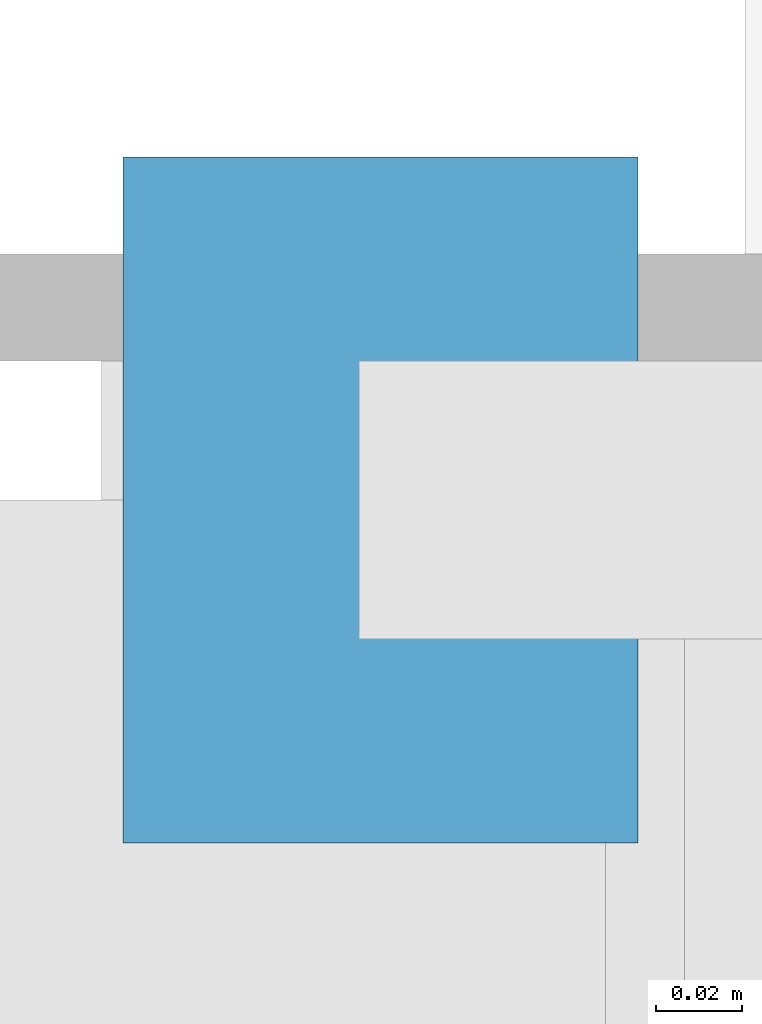
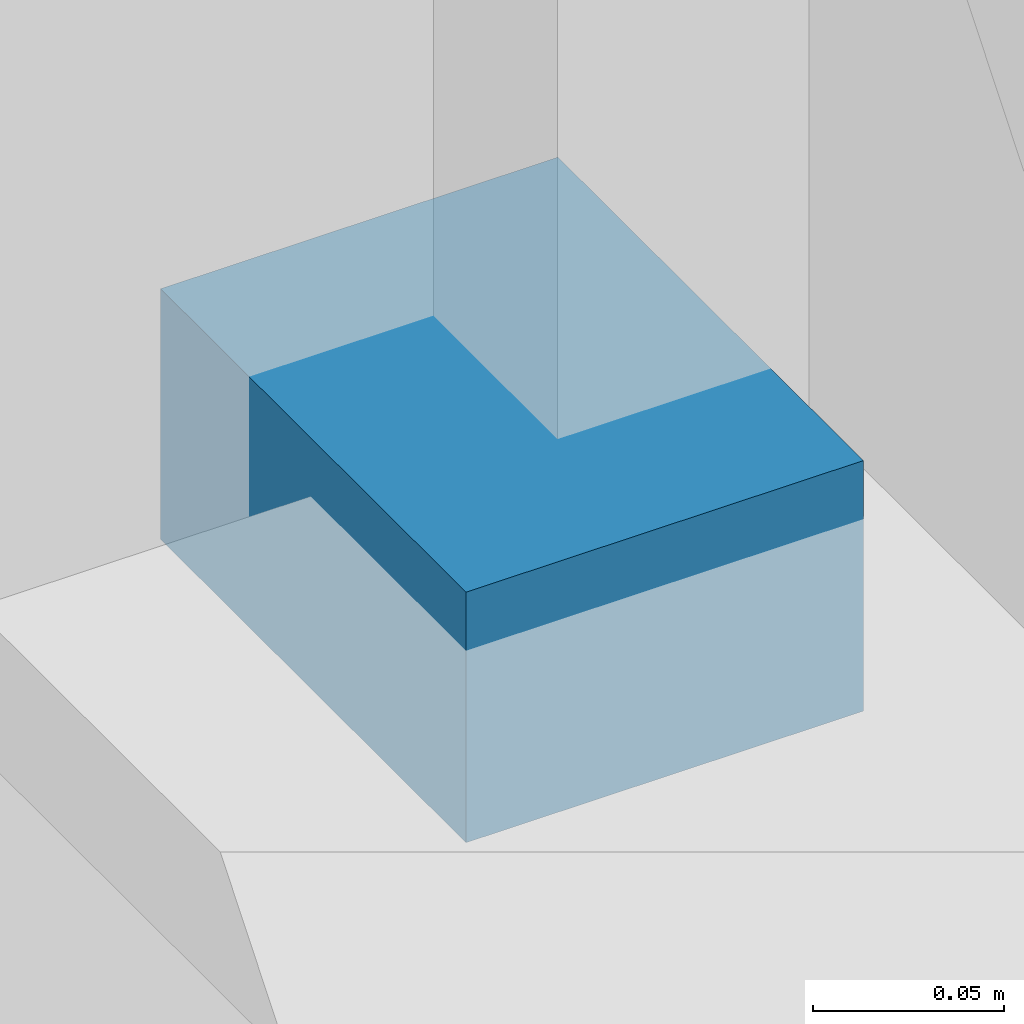
# One storey, part 105 of 123: 1 discrete accessory.
"""IFC4 building model written with IfcOpenShell, lengths in metres."""

from ifc_helpers import new_model, si_unit, direction, frame, origin, origin_2d, place, context, subcontext, project, spatial, rectangle, extrude, material, type_object, element, save


model = new_model("IFC4")

# Units and contexts
model_context = context("Model", 3, precision=1e-05, world=origin(), true_north=direction((0.0, 1.0)))
body_context = subcontext(model_context, "Body", "Model", "MODEL_VIEW")
ifc_project = project(units=[si_unit("LENGTHUNIT", "METRE"), si_unit("AREAUNIT", "SQUARE_METRE"), si_unit("VOLUMEUNIT", "CUBIC_METRE"), si_unit("PLANEANGLEUNIT", "RADIAN"), si_unit("MASSUNIT", "GRAM", prefix="KILO")], contexts=[model_context])

# Site, building, storey
site_placement = place(None, origin())
site = spatial("IfcSite", under=ifc_project, at=site_placement, CompositionType="ELEMENT")
building_placement = place(site_placement, origin())
building = spatial("IfcBuilding", under=site, at=building_placement, Name="Suzunagisa Mobility Hub", CompositionType="ELEMENT")
storey_placement = place(building_placement, origin())
storey = spatial("IfcBuildingStorey", under=building, at=storey_placement, Name="L00", CompositionType="ELEMENT", Elevation=0.0)

# Discrete accessory
ifc_material = material(Name="Stainless Steel SUS316", Category="metal")
discrete_accessory_type = type_object("IfcDiscreteAccessoryType", Name="Stainless Sunshade Outrigger Bracket BRK-01", PredefinedType="BRACKET", material=ifc_material)
discrete_accessory_placement = place(storey_placement, frame((143.9150390625, 107.717529296875, 3.949951171875), z_axis=(0.0, 0.0, 1.0), x_axis=(0.0, -1.0, 0.0)))
element("IfcDiscreteAccessory", 1, at=discrete_accessory_placement, inside=storey, type_object=discrete_accessory_type, Name="Sunshade Outrigger Bracket BRK-38.1", PredefinedType="BRACKET", context=body_context, shape_type="SweptSolid", body=[
    extrude(rectangle(XDim=0.159912109375, YDim=0.1201171875, at=origin_2d()), origin(), (0.0, 0.0, 1.0), 0.080078125),
])

save(model, "model.ifc")
